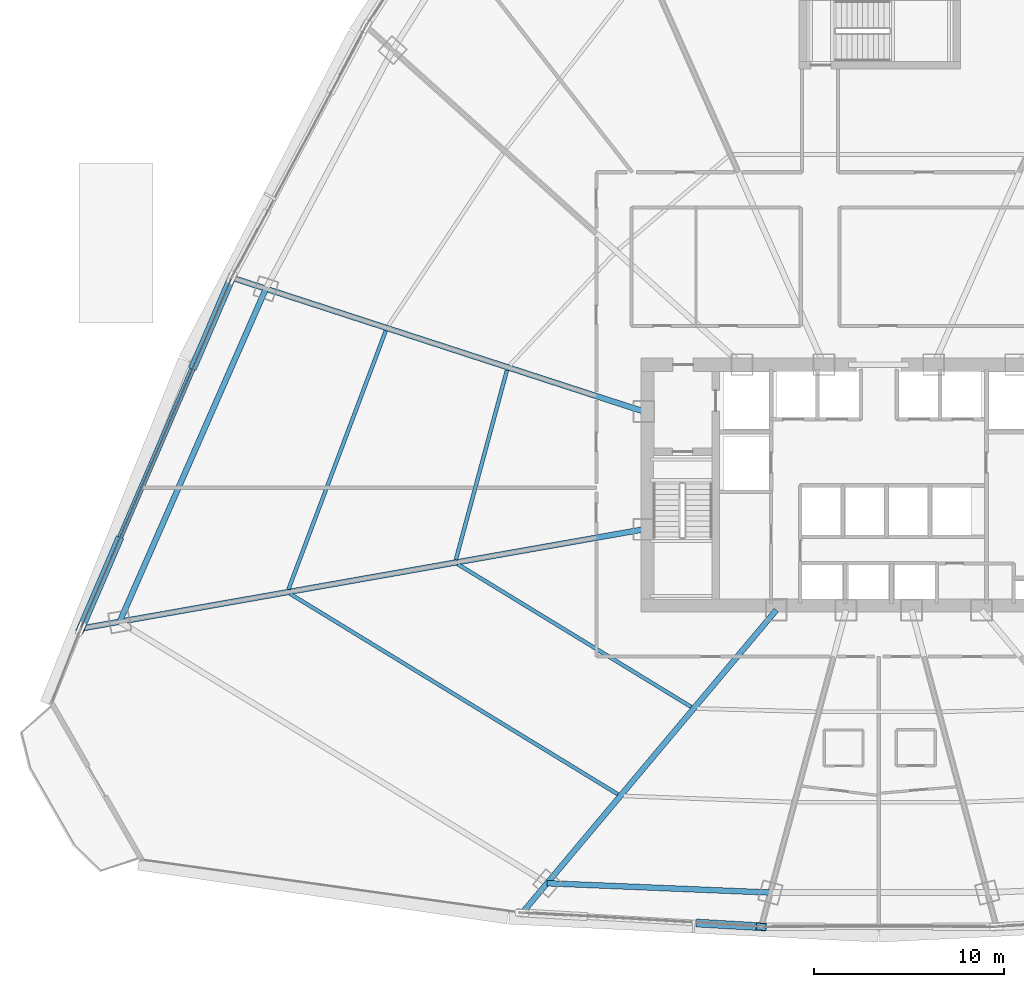
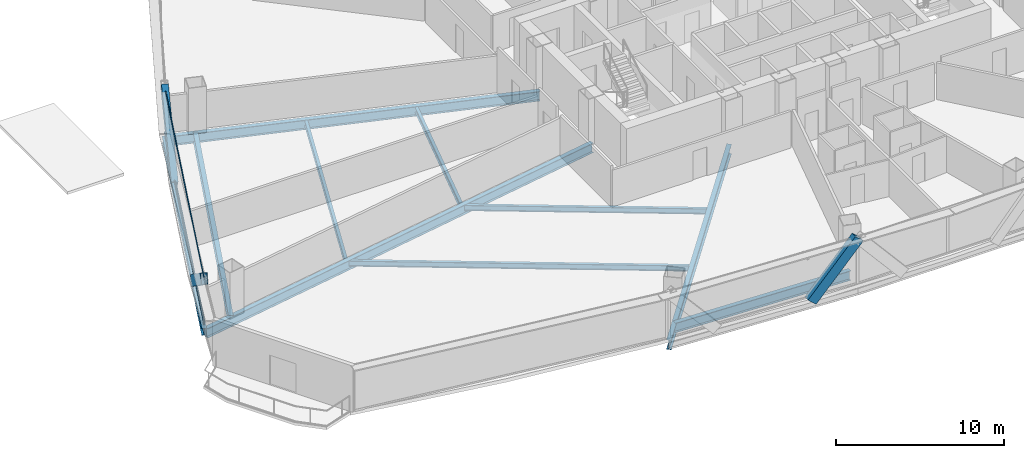
# One storey, part 7 of 38: 10 beams, 5 members, 1 element without a shape of its own.
"""IFC4 building model written with IfcOpenShell, lengths in metres."""

import ifcopenshell
import ifcopenshell.guid

model = None  # the IFC model being written
_history = None  # IfcOwnerHistory: only IFC2X3 demands one
_inside = {}  # id of a spatial element -> (the spatial element, [elements in it])
_under = {}  # id of a project, library or spatial element -> (it, [spatial elements below it])
_declared = {}  # id of a project -> (the project, [libraries it declares])
_typed = {}  # id of a type object -> (the type object, [elements of that type])
_made_of = {}  # id of a material, layer set ... -> (it, [elements and type objects made of it])


def new_model(schema):
    """Start an empty IFC model of exactly this schema.

    Asked for "IFC4X3", IfcOpenShell would pick the latest addendum, in which some entities
    have other attributes; the version numbers below select the first issue.
    IFC2X3 requires an IfcOwnerHistory on every rooted entity: one is made here for all.
    """
    global model, _history
    if schema == "IFC4X3":
        model = ifcopenshell.file(schema_version=(4, 3, 0, 0))
    else:
        model = ifcopenshell.file(schema=schema)
    _inside.clear()
    _under.clear()
    _declared.clear()
    _typed.clear()
    _made_of.clear()
    _history = None
    if model.schema == "IFC2X3":
        org = make("IfcOrganization", Name="unknown")
        user = make(
            "IfcPersonAndOrganization",
            ThePerson=make("IfcPerson", FamilyName="unknown"),
            TheOrganization=org,
        )
        app = make(
            "IfcApplication",
            ApplicationDeveloper=org,
            Version="unknown",
            ApplicationFullName="unknown",
            ApplicationIdentifier="unknown",
        )
        _history = make(
            "IfcOwnerHistory",
            OwningUser=user,
            OwningApplication=app,
            ChangeAction="ADDED",
            CreationDate=0,
        )
    return model


def make(cls, **values):
    """One entity of the class cls with the attributes given. An attribute that is None is left unset."""
    return model.create_entity(
        cls, **{name: value for name, value in values.items() if value is not None}
    )


def rooted(cls, **values):
    """An entity with a GlobalId (a new one), such as an element, a storey or a relation."""
    return make(cls, GlobalId=ifcopenshell.guid.new(), OwnerHistory=_history, **values)


def si_unit(unit_type, name, prefix=None):
    """IfcSIUnit, for example si_unit("LENGTHUNIT", "METRE", prefix="MILLI")."""
    return make("IfcSIUnit", UnitType=unit_type, Prefix=prefix, Name=name)


def assignment(units):
    """IfcUnitAssignment: the units of a project."""
    return None if units is None else make("IfcUnitAssignment", Units=units)


def point(xyz):
    """IfcCartesianPoint."""
    return None if xyz is None else make("IfcCartesianPoint", Coordinates=xyz)


def direction(xyz):
    """IfcDirection."""
    return None if xyz is None else make("IfcDirection", DirectionRatios=xyz)


def frame(location, z_axis=None, x_axis=None):
    """IfcAxis2Placement3D, a coordinate frame: its origin and axes. An axis left out is left unset."""
    return make(
        "IfcAxis2Placement3D",
        Location=point(location),
        Axis=direction(z_axis),
        RefDirection=direction(x_axis),
    )


def frame_2d(location, x_axis=None):
    """IfcAxis2Placement2D, a coordinate frame in the plane: its origin and x axis."""
    return make(
        "IfcAxis2Placement2D", Location=point(location), RefDirection=direction(x_axis)
    )


def origin():
    """The frame at (0, 0, 0) with its axes left unset."""
    return frame((0.0, 0.0, 0.0))


def origin_2d():
    """The frame at (0, 0) in the plane with its x axis left unset."""
    return frame_2d((0.0, 0.0))


def place(relative_to, where):
    """IfcLocalPlacement: puts the frame where relative to a parent placement (None: the world)."""
    return make(
        "IfcLocalPlacement", PlacementRelTo=relative_to, RelativePlacement=where
    )


def context(
    kind, dimensions, precision=None, world=None, true_north=None, identifier=None
):
    """IfcGeometricRepresentationContext, for example the 3D "Model" context."""
    return make(
        "IfcGeometricRepresentationContext",
        ContextIdentifier=identifier,
        ContextType=kind,
        CoordinateSpaceDimension=dimensions,
        Precision=precision,
        WorldCoordinateSystem=world,
        TrueNorth=true_north,
    )


def subcontext(parent, identifier, kind, view, scale=None):
    """IfcGeometricRepresentationSubContext, for example "Body" below "Model"."""
    return make(
        "IfcGeometricRepresentationSubContext",
        ContextIdentifier=identifier,
        ContextType=kind,
        ParentContext=parent,
        TargetScale=scale,
        TargetView=view,
    )


def project(units=None, contexts=None):
    """IfcProject with its units and contexts."""
    return rooted(
        "IfcProject",
        Name="project",
        RepresentationContexts=contexts,
        UnitsInContext=assignment(units),
    )


def spatial(cls, under=None, at=None, **own):
    """A site, building, storey or space (cls), placed at a placement, below another one or the project."""
    s = rooted(cls, ObjectPlacement=at, **own)
    if under is not None:
        _under.setdefault(under.id(), (under, []))[1].append(s)
    return s


def profile(cls, at=None, kind="AREA", **sizes):
    """A parametric profile (cls). Its sizes go by their IFC names, for example OverallWidth=200.0."""
    return make(cls, ProfileType=kind, Position=at, **sizes)


def hollow_rectangle(**sizes):
    """IfcRectangleHollowProfileDef."""
    return profile("IfcRectangleHollowProfileDef", **sizes)


def i_section(**sizes):
    """IfcIShapeProfileDef."""
    return profile("IfcIShapeProfileDef", **sizes)


def extrude(swept, where, along, depth):
    """IfcExtrudedAreaSolid: the profile swept, set in the frame where, extruded along a direction by depth."""
    return make(
        "IfcExtrudedAreaSolid",
        SweptArea=swept,
        Position=where,
        ExtrudedDirection=direction(along),
        Depth=depth,
    )


def shape(context_of_items, identifier, shape_type, items):
    """IfcShapeRepresentation: the items that make up one representation, for example the "Body"."""
    return make(
        "IfcShapeRepresentation",
        ContextOfItems=context_of_items,
        RepresentationIdentifier=identifier,
        RepresentationType=shape_type,
        Items=items,
    )


def source(mapping_origin, context_of_items, identifier, shape_type, items):
    """IfcRepresentationMap: a shape defined once, which mapped items show again and again."""
    return make(
        "IfcRepresentationMap",
        MappingOrigin=mapping_origin,
        MappedRepresentation=shape(context_of_items, identifier, shape_type, items),
    )


def transform(
    local_origin,
    x_axis=None,
    y_axis=None,
    z_axis=None,
    scale=None,
    scale2=None,
    scale3=None,
    uniform=True,
):
    """IfcCartesianTransformationOperator3D, or its non-uniform kind. x_axis, y_axis, z_axis: its Axis1, 2, 3."""
    if uniform:
        return make(
            "IfcCartesianTransformationOperator3D",
            Axis1=direction(x_axis),
            Axis2=direction(y_axis),
            LocalOrigin=point(local_origin),
            Scale=scale,
            Axis3=direction(z_axis),
        )
    return make(
        "IfcCartesianTransformationOperator3DnonUniform",
        Axis1=direction(x_axis),
        Axis2=direction(y_axis),
        LocalOrigin=point(local_origin),
        Scale=scale,
        Axis3=direction(z_axis),
        Scale2=scale2,
        Scale3=scale3,
    )


def mapped(mapping_source, mapping_target):
    """IfcMappedItem: shows the shape of a source again, moved by a transform."""
    return make(
        "IfcMappedItem", MappingSource=mapping_source, MappingTarget=mapping_target
    )


def material(Name=None, Category=None):
    """IfcMaterial."""
    return make("IfcMaterial", Name=Name, Category=Category)


def layer(
    of_material, thickness, ventilated=None, Name=None, Category=None, Priority=None
):
    """IfcMaterialLayer: one layer of a wall or slab, of a material (None: an air gap)."""
    return make(
        "IfcMaterialLayer",
        Material=of_material,
        LayerThickness=thickness,
        IsVentilated=ventilated,
        Name=Name,
        Category=Category,
        Priority=Priority,
    )


def layer_set(layers, Name=None):
    """IfcMaterialLayerSet."""
    return make("IfcMaterialLayerSet", MaterialLayers=layers, LayerSetName=Name)


def material_profile(
    of_material, cross_section, Name=None, Category=None, Priority=None
):
    """IfcMaterialProfile: a cross section and its material."""
    return make(
        "IfcMaterialProfile",
        Name=Name,
        Material=of_material,
        Profile=cross_section,
        Priority=Priority,
        Category=Category,
    )


def profile_set(profiles, Name=None, composite=None):
    """IfcMaterialProfileSet."""
    return make(
        "IfcMaterialProfileSet",
        Name=Name,
        MaterialProfiles=profiles,
        CompositeProfile=composite,
    )


def made_of(thing, what):
    """Note that an element or type object is made of a material, layer set ...; save() writes the relation."""
    if what is not None:
        _made_of.setdefault(what.id(), (what, []))[1].append(thing)
    return thing


def type_object(cls, material=None, **own):
    """A type object (cls), such as IfcWallType, which elements share."""
    return made_of(rooted(cls, **own), material)


def element(
    cls,
    number,
    at=None,
    inside=None,
    cuts=None,
    type_object=None,
    material=None,
    context=None,
    identifier="Body",
    shape_type=None,
    held_by="IfcProductDefinitionShape",
    body=None,
    shapes=None,
    **own,
):
    """One element of the class cls, such as IfcWall. Its Tag is "e" and its number.

    at: its placement. inside: the storey or other place that contains it. cuts: it is an
    opening in that element (IfcRelVoidsElement). A single representation is given by context,
    identifier, shape_type and body (its items); several are given by shapes. held_by: the class
    of the entity that holds the representations. save() writes the other relations.
    """
    e = rooted(cls, Tag="e%d" % number, ObjectPlacement=at, **own)
    if body is not None:
        shapes = [shape(context, identifier, shape_type, body)]
    if shapes is not None:
        e.Representation = make(held_by, Representations=shapes)
    if inside is not None:
        _inside.setdefault(inside.id(), (inside, []))[1].append(e)
    if cuts is not None:
        rooted(
            "IfcRelVoidsElement", RelatingBuildingElement=cuts, RelatedOpeningElement=e
        )
    if type_object is not None:
        _typed.setdefault(type_object.id(), (type_object, []))[1].append(e)
    return made_of(e, material)


def aggregate(whole, parts):
    """IfcRelAggregates: a whole, such as a stair, and the parts it consists of."""
    return rooted("IfcRelAggregates", RelatingObject=whole, RelatedObjects=parts)


def save(model, path):
    """Write the relations noted so far, then the file.

    IfcRelAggregates (storeys below a building ...), IfcRelContainedInSpatialStructure (elements
    in a storey), IfcRelDefinesByType, IfcRelAssociatesMaterial and IfcRelDeclares: one each for
    every whole, place, type object, material and project.
    """
    for whole, parts in _under.values():
        aggregate(whole, parts)
    for where, things in _inside.values():
        rooted(
            "IfcRelContainedInSpatialStructure",
            RelatedElements=things,
            RelatingStructure=where,
        )
    for kind, things in _typed.values():
        rooted("IfcRelDefinesByType", RelatedObjects=things, RelatingType=kind)
    for what, things in _made_of.values():
        rooted("IfcRelAssociatesMaterial", RelatedObjects=things, RelatingMaterial=what)
    for by, libraries in _declared.values():
        rooted("IfcRelDeclares", RelatingContext=by, RelatedDefinitions=libraries)
    model.write(path)


model = new_model("IFC4")

# Units and contexts
model_context = context("Model", 3, precision=1e-05, world=origin(), true_north=direction((0.0, 1.0)))
body_context = subcontext(model_context, "Body", "Model", "MODEL_VIEW")
ifc_project = project(units=[si_unit("LENGTHUNIT", "METRE"), si_unit("AREAUNIT", "SQUARE_METRE"), si_unit("VOLUMEUNIT", "CUBIC_METRE"), si_unit("PLANEANGLEUNIT", "RADIAN"), si_unit("MASSUNIT", "GRAM", prefix="KILO"), si_unit("THERMODYNAMICTEMPERATUREUNIT", "KELVIN"), si_unit("POWERUNIT", "WATT")], contexts=[model_context])

# Site, building, storey
site_placement = place(None, origin())
site = spatial("IfcSite", under=ifc_project, at=site_placement, CompositionType="ELEMENT")
building_placement = place(site_placement, origin())
building = spatial("IfcBuilding", under=site, at=building_placement, Name="Yunzhuo Pagoda Commons", CompositionType="ELEMENT")
storey_placement = place(building_placement, frame((0.0, 0.0, 30.39990234375)))
storey = spatial("IfcBuildingStorey", under=building, at=storey_placement, Name="L07", CompositionType="ELEMENT", Elevation=30.39990234375)

# Beams
ifc_material_1 = material(Name="Structural steel Q355B", Category="steel")
ifc_material_profile_1 = material_profile(ifc_material_1, i_section(OverallWidth=0.300048828125, OverallDepth=0.699951171875, WebThickness=0.012939453125, FlangeThickness=0.02392578125, at=origin_2d()), Name="Structural steel Q355B")
ifc_profile_set_1 = profile_set([ifc_material_profile_1], Name="Structural steel Q355B")
beam_type_1 = type_object("IfcBeamType", Name="B-RG1 Beam HN 700x300x13x24", PredefinedType="BEAM", material=ifc_profile_set_1)
shared_shape_1 = source(origin(), body_context, "Body", "SweptSolid", [
    extrude(i_section(OverallWidth=0.300048828125, OverallDepth=0.699951171875, WebThickness=0.012939453125, FlangeThickness=0.02392578125, at=origin_2d()), origin(), (0.0, 0.0, 1.0), 11.7900390625),
])
beam_1_placement = place(storey_placement, frame((30.5, 12.844482421875, -0.60986328125), z_axis=(0.99912739354, -0.041766631146, 0.0), x_axis=(0.041766631146, 0.99912739354, 0.0)))
element("IfcBeam", 1, at=beam_1_placement, inside=storey, type_object=beam_type_1, Name="L07 column-ring beam 1", PredefinedType="BEAM", context=body_context, shape_type="MappedRepresentation", body=[
    mapped(shared_shape_1, transform((0.0, 0.0, 0.0), scale=1.0)),
])
shared_shape_2 = source(origin(), body_context, "Body", "SweptSolid", [
    extrude(i_section(OverallWidth=0.300048828125, OverallDepth=0.699951171875, WebThickness=0.012939453125, FlangeThickness=0.02392578125, at=origin_2d()), origin(), (0.0, 0.0, 1.0), 19.18603515625),
])
beam_2_placement = place(storey_placement, frame((15.66455078125, 44.206298828125, -0.60986328125), z_axis=(-0.40196534204, -0.915654882474, 0.0), x_axis=(0.915654882474, -0.40196534204, 0.0)))
element("IfcBeam", 2, at=beam_2_placement, inside=storey, type_object=beam_type_1, Name="L07 column-ring beam 11", PredefinedType="BEAM", context=body_context, shape_type="MappedRepresentation", body=[
    mapped(shared_shape_2, transform((0.0, 0.0, 0.0), scale=1.0)),
])
shared_shape_3 = source(origin(), body_context, "Body", "SweptSolid", [
    extrude(i_section(OverallWidth=0.300048828125, OverallDepth=0.699951171875, WebThickness=0.012939453125, FlangeThickness=0.02392578125, at=origin_2d()), origin(), (0.0, 0.0, 1.0), 20.693115234375),
])
beam_3_placement = place(storey_placement, frame((29.28662109375, 11.398193359375, -0.60986328125), z_axis=(0.642788302359, 0.766043861897, 0.0), x_axis=(-0.766043861897, 0.642788302359, 0.0)))
element("IfcBeam", 3, at=beam_3_placement, inside=storey, type_object=beam_type_1, Name="L07 radial floor girder F1C1", PredefinedType="BEAM", context=body_context, shape_type="MappedRepresentation", body=[
    mapped(shared_shape_3, transform((0.0, 0.0, 0.0), scale=1.0)),
])
shared_shape_4 = source(origin(), body_context, "Body", "SweptSolid", [
    extrude(i_section(OverallWidth=0.300048828125, OverallDepth=0.699951171875, WebThickness=0.012939453125, FlangeThickness=0.02392578125, at=origin_2d()), origin(), (0.0, 0.0, 1.0), 30.001708984375),
])
beam_4_placement = place(storey_placement, frame((6.05419921875, 26.3037109375, -0.60986328125), z_axis=(0.984807879934, 0.173647457857, 0.0), x_axis=(-0.173647457857, 0.984807879934, 0.0)))
element("IfcBeam", 4, at=beam_4_placement, inside=storey, type_object=beam_type_1, Name="L07 radial floor girder F3C4", PredefinedType="BEAM", context=body_context, shape_type="MappedRepresentation", body=[
    mapped(shared_shape_4, transform((0.0, 0.0, 0.0), scale=1.0)),
])
shared_shape_5 = source(origin(), body_context, "Body", "SweptSolid", [
    extrude(i_section(OverallWidth=0.300048828125, OverallDepth=0.699951171875, WebThickness=0.012939453125, FlangeThickness=0.02392578125, at=origin_2d()), origin(), (0.0, 0.0, 1.0), 22.70458984375),
])
beam_5_placement = place(storey_placement, frame((14.0068359375, 44.7451171875, -0.60986328125), z_axis=(0.951056034213, -0.309018478068, 0.0), x_axis=(0.309018478068, 0.951056034213, 0.0)))
element("IfcBeam", 5, at=beam_5_placement, inside=storey, type_object=beam_type_1, Name="L07 radial floor girder F3C3", PredefinedType="BEAM", context=body_context, shape_type="MappedRepresentation", body=[
    mapped(shared_shape_5, transform((0.0, 0.0, 0.0), scale=1.0)),
])
ifc_material_profile_2 = material_profile(ifc_material_1, i_section(OverallWidth=0.300048828125, OverallDepth=0.488037109375, WebThickness=0.010986328125, FlangeThickness=0.01806640625, at=origin_2d()), Name="Structural steel Q355B")
ifc_profile_set_2 = profile_set([ifc_material_profile_2], Name="Structural steel Q355B")
beam_type_2 = type_object("IfcBeamType", Name="B-SP1 Beam HM 488x300x11x18", PredefinedType="BEAM", material=ifc_profile_set_2)
shared_shape_6 = source(origin(), body_context, "Body", "SweptSolid", [
    extrude(i_section(OverallWidth=0.300048828125, OverallDepth=0.488037109375, WebThickness=0.010986328125, FlangeThickness=0.01806640625, at=origin_2d()), origin(), (0.0, 0.0, 1.0), 20.153564453125),
])
beam_6_placement = place(storey_placement, frame((13.859375, 44.79296875, -0.50390625), z_axis=(-0.39485772382, -0.918742280479, 0.0), x_axis=(0.918742280479, -0.39485772382, 0.0)))
element("IfcBeam", 6, at=beam_6_placement, inside=storey, type_object=beam_type_2, Name="L07 facade edge spandrel beam F3.3", PredefinedType="BEAM", context=body_context, shape_type="MappedRepresentation", body=[
    mapped(shared_shape_6, transform((0.0, 0.0, 0.0), scale=1.0)),
])
ifc_material_profile_3 = material_profile(ifc_material_1, i_section(OverallWidth=0.199951171875, OverallDepth=0.39990234375, WebThickness=0.008056640625, FlangeThickness=0.012939453125, at=origin_2d()), Name="Structural steel Q355B")
ifc_profile_set_3 = profile_set([ifc_material_profile_3], Name="Structural steel Q355B")
beam_type_3 = type_object("IfcBeamType", Name="B-JS1 Joist HN 400x200x8x13", PredefinedType="JOIST", material=ifc_profile_set_3)
shared_shape_7 = source(origin(), body_context, "Body", "SweptSolid", [
    extrude(i_section(OverallWidth=0.199951171875, OverallDepth=0.39990234375, WebThickness=0.008056640625, FlangeThickness=0.012939453125, at=origin_2d()), origin(), (0.0, 0.0, 1.0), 14.4365234375),
])
beam_7_placement = place(storey_placement, frame((25.782470703125, 29.675537109375, -0.4599609375), z_axis=(0.85325633277, -0.521491735876, 0.0), x_axis=(0.521491735876, 0.85325633277, 0.0)))
element("IfcBeam", 7, at=beam_7_placement, inside=storey, type_object=beam_type_3, Name="L07 composite ring joist 1.12", PredefinedType="JOIST", context=body_context, shape_type="MappedRepresentation", body=[
    mapped(shared_shape_7, transform((0.0, 0.0, 0.0), scale=1.0)),
])
shared_shape_8 = source(origin(), body_context, "Body", "SweptSolid", [
    extrude(i_section(OverallWidth=0.199951171875, OverallDepth=0.39990234375, WebThickness=0.008056640625, FlangeThickness=0.012939453125, at=origin_2d()), origin(), (0.0, 0.0, 1.0), 20.275634765625),
])
beam_8_placement = place(storey_placement, frame((16.935302734375, 28.11572265625, -0.4599609375), z_axis=(0.853102898066, -0.521742700295, 0.0), x_axis=(0.521742700295, 0.853102898066, 0.0)))
element("IfcBeam", 8, at=beam_8_placement, inside=storey, type_object=beam_type_3, Name="L07 composite ring joist 2.12", PredefinedType="JOIST", context=body_context, shape_type="MappedRepresentation", body=[
    mapped(shared_shape_8, transform((0.0, 0.0, 0.0), scale=1.0)),
])
shared_shape_9 = source(origin(), body_context, "Body", "SweptSolid", [
    extrude(i_section(OverallWidth=0.199951171875, OverallDepth=0.39990234375, WebThickness=0.008056640625, FlangeThickness=0.012939453125, at=origin_2d()), origin(), (0.0, 0.0, 1.0), 10.351806640625),
])
beam_9_placement = place(storey_placement, frame((28.3818359375, 39.9072265625, -0.4599609375), z_axis=(-0.260208595802, -0.965552425646, 0.0), x_axis=(0.965552425646, -0.260208595802, 0.0)))
element("IfcBeam", 9, at=beam_9_placement, inside=storey, type_object=beam_type_3, Name="L07 composite ring joist 1.11", PredefinedType="JOIST", context=body_context, shape_type="MappedRepresentation", body=[
    mapped(shared_shape_9, transform((0.0, 0.0, 0.0), scale=1.0)),
])
shared_shape_10 = source(origin(), body_context, "Body", "SweptSolid", [
    extrude(i_section(OverallWidth=0.199951171875, OverallDepth=0.39990234375, WebThickness=0.008056640625, FlangeThickness=0.012939453125, at=origin_2d()), origin(), (0.0, 0.0, 1.0), 14.571044921875),
])
beam_10_placement = place(storey_placement, frame((21.98779296875, 41.98486328125, -0.4599609375), z_axis=(-0.352208383632, -0.935921607027, 0.0), x_axis=(0.935921607027, -0.352208383632, 0.0)))
element("IfcBeam", 10, at=beam_10_placement, inside=storey, type_object=beam_type_3, Name="L07 composite ring joist 2.11", PredefinedType="JOIST", context=body_context, shape_type="MappedRepresentation", body=[
    mapped(shared_shape_10, transform((0.0, 0.0, 0.0), scale=1.0)),
])

# Members
ifc_material_2 = material(Name="Structural steel Q420B", Category="steel")
ifc_material_profile_4 = material_profile(ifc_material_2, hollow_rectangle(XDim=0.419921875, YDim=0.719970703125, WallThickness=0.028076171875, at=origin_2d()), Name="Structural steel Q420B")
ifc_profile_set_4 = profile_set([ifc_material_profile_4], Name="Structural steel Q420B")
member_type_1 = type_object("IfcMemberType", Name="M-DL1 Brace BOX 720x420x28", PredefinedType="BRACE", material=ifc_profile_set_4)
shared_shape_11 = source(origin(), body_context, "Body", "SweptSolid", [
    extrude(hollow_rectangle(XDim=0.419921875, YDim=0.719970703125, WallThickness=0.028076171875, at=origin_2d()), origin(), (0.0, 0.0, 1.0), 4.8115234375),
])
member_1_placement = place(storey_placement, frame((38.64404296875, 10.73095703125, -0.260009765625), z_axis=(0.655171841053, -0.038005243878, 0.754523333058), x_axis=(0.05791070349, 0.998321766978, 0.0)))
element("IfcMember", 11, at=member_1_placement, inside=storey, type_object=member_type_1, Name="L07 facade diamond brace F1.1R", PredefinedType="BRACE", context=body_context, shape_type="MappedRepresentation", body=[
    mapped(shared_shape_11, transform((0.0, 0.0, 0.0), scale=1.0)),
])
shared_shape_12 = source(origin(), body_context, "Body", "SweptSolid", [
    extrude(hollow_rectangle(XDim=0.419921875, YDim=0.719970703125, WallThickness=0.028076171875, at=origin_2d()), origin(), (0.0, 0.0, 1.0), 6.2099609375),
])
for number, where, z_axis, x_axis, name in (
    (12, (11.869873046875, 40.164306640625, -0.260009765625), (0.32037847251, 0.74537433554, 0.584615030829), (-0.918728440891, 0.394889923773, 0.0), "L07 facade diamond brace F3.3L"),
    (13, (7.89111328125, 30.906005859375, -0.260009765625), (-0.320369084163, -0.74539180706, 0.584597899313), (0.918735996941, -0.394872343833, 0.0), "L07 facade diamond brace F3.3R"),
):
    element("IfcMember", number, at=place(storey_placement, frame(where, z_axis=z_axis, x_axis=x_axis)), inside=storey, type_object=member_type_1, Name=name, PredefinedType="BRACE", context=body_context, shape_type="MappedRepresentation", body=[
        mapped(shared_shape_12, transform((0.0, 0.0, 0.0), scale=1.0)),
    ])

# Curtain wall, members
ifc_material_3 = material(Name="Anodized aluminium 6063-T6", Category="aluminium")
ifc_layer = layer(ifc_material_3, 0.1650390625)
ifc_layer_set = layer_set([ifc_layer], Name="Anodized aluminium 6063-T6")
curtain_wall_type = type_object("IfcCurtainWallType", Name="CW-LOW Low-Zone Ribbon Curtain Wall", PredefinedType="NOTDEFINED", material=ifc_layer_set)
curtain_wall_placement = place(storey_placement, origin())
curtain_wall = element("IfcCurtainWall", 14, at=curtain_wall_placement, inside=storey, type_object=curtain_wall_type, Name="L07 curtain wall CW-L07-F3B4", PredefinedType="NOTDEFINED")
ifc_material_profile_5 = material_profile(ifc_material_3, hollow_rectangle(XDim=0.06005859375, YDim=0.139892578125, WallThickness=0.00341796875, at=origin_2d()), Name="Anodized aluminium 6063-T6")
ifc_profile_set_5 = profile_set([ifc_material_profile_5], Name="Anodized aluminium 6063-T6")
member_type_2 = type_object("IfcMemberType", Name="CW-LOW-T Transom RHS 140x60x3.5", PredefinedType="USERDEFINED", material=ifc_profile_set_5)
shared_shape_13 = source(origin(), body_context, "Body", "SweptSolid", [
    extrude(hollow_rectangle(XDim=0.06005859375, YDim=0.139892578125, WallThickness=0.00341796875, at=origin_2d()), origin(), (0.0, 0.0, 1.0), 20.023681640625),
])
member_2_placement = place(storey_placement, frame((13.833740234375, 44.7333984375, 0.030029296875), z_axis=(-0.394854975911, -0.918743461473, 0.0), x_axis=(0.918743461473, -0.394854975911, 0.0)))
member_2 = element("IfcMember", 15, at=member_2_placement, type_object=member_type_2, Name="CW transom 1.1", ObjectType="TRANSOM", PredefinedType="USERDEFINED", context=body_context, shape_type="MappedRepresentation", body=[
    mapped(shared_shape_13, transform((0.0, 0.0, 0.0), scale=1.0)),
])
member_3_placement = place(storey_placement, frame((13.833740234375, 44.7333984375, 3.340087890625), z_axis=(-0.394854975911, -0.918743461473, 0.0), x_axis=(0.918743461473, -0.394854975911, 0.0)))
member_3 = element("IfcMember", 16, at=member_3_placement, type_object=member_type_2, Name="CW transom 1.2", ObjectType="TRANSOM", PredefinedType="USERDEFINED", context=body_context, shape_type="MappedRepresentation", body=[
    mapped(shared_shape_13, transform((0.0, 0.0, 0.0), scale=1.0)),
])
aggregate(curtain_wall, [member_2, member_3])

save(model, "model.ifc")
